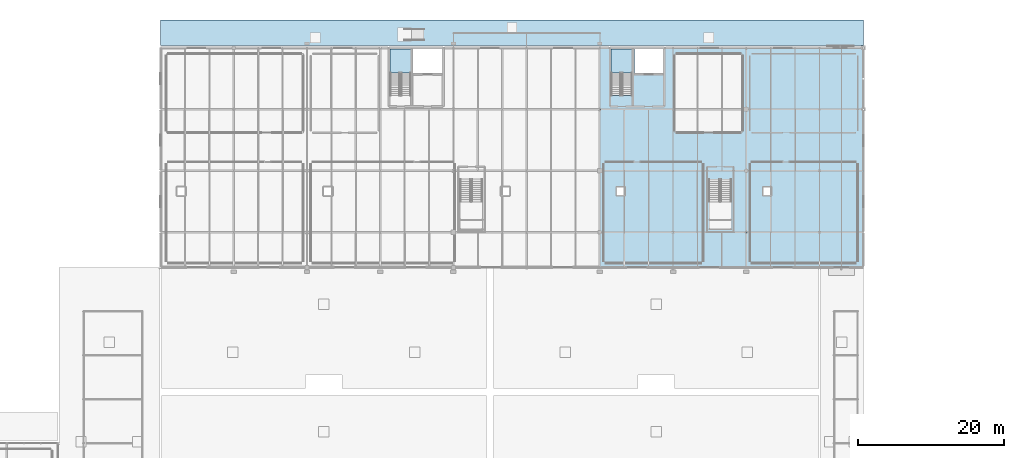
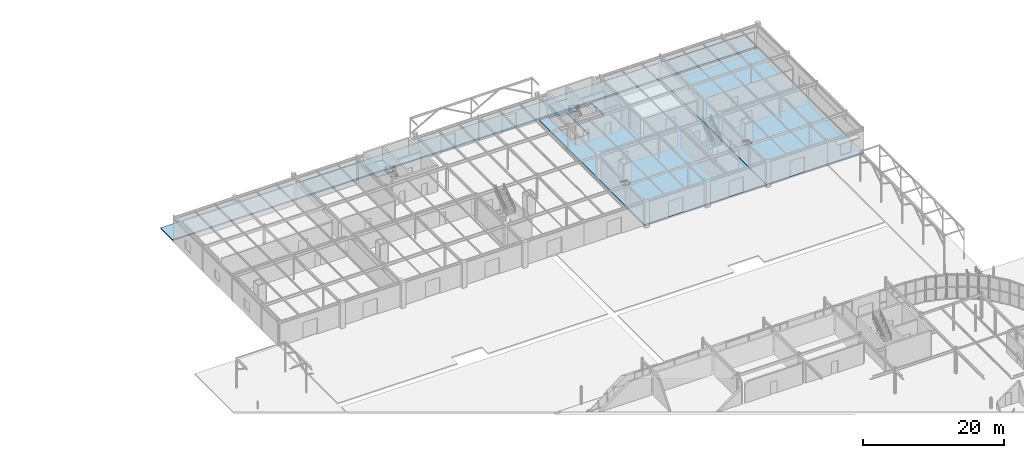
# One storey, part 82 of 119: 5 slabs, 2 elements without a shape of their own.
"""IFC4 building model written with IfcOpenShell, lengths in metres."""

from ifc_helpers import new_model, si_unit, derived_unit, direction, frame, origin, place, context, subcontext, project, spatial, polyline, outline, extrude, material, layer, layer_set, type_object, element, aggregate, save


model = new_model("IFC4")

# Units and contexts
model_context = context("Model", 3, precision=1e-05, world=origin(), true_north=direction((0.0, 1.0)))
body_context = subcontext(model_context, "Body", "Model", "MODEL_VIEW")
ifc_project = project(units=[si_unit("LENGTHUNIT", "METRE"), si_unit("AREAUNIT", "SQUARE_METRE"), si_unit("VOLUMEUNIT", "CUBIC_METRE"), si_unit("PLANEANGLEUNIT", "RADIAN"), si_unit("MASSUNIT", "GRAM", prefix="KILO"), derived_unit("THERMALTRANSMITTANCEUNIT", [(si_unit("POWERUNIT", "WATT"), 1), (si_unit("LENGTHUNIT", "METRE"), -2), (si_unit("THERMODYNAMICTEMPERATUREUNIT", "KELVIN"), -1)])], contexts=[model_context])

# Site, building, storey
site_placement = place(None, origin())
site = spatial("IfcSite", under=ifc_project, at=site_placement, CompositionType="ELEMENT")
building_placement = place(site_placement, origin())
building = spatial("IfcBuilding", under=site, at=building_placement, Name="Cinnabar Yard Market Hall", CompositionType="ELEMENT")
storey_placement = place(building_placement, origin())
storey = spatial("IfcBuildingStorey", under=building, at=storey_placement, Name="L00", CompositionType="ELEMENT", Elevation=0.0)

# Slabs
ifc_material = material(Name="Concrete 40 MPa", Category="concrete")
ifc_layer_1 = layer(ifc_material, 0.219970703125)
ifc_layer_set_1 = layer_set([ifc_layer_1], Name="Concrete 40 MPa")
slab_type_1 = type_object("IfcSlabType", Name="SL-APRON", PredefinedType="BASESLAB", material=ifc_layer_set_1)
slab_1_placement = place(storey_placement, frame((0.0, 0.0, -0.219970703125)))
element("IfcSlab", 1, at=slab_1_placement, inside=storey, type_object=slab_type_1, Name="Northern Avenue Entry Apron", PredefinedType="BASESLAB", context=body_context, shape_type="SweptSolid", body=[
    extrude(outline(polyline([(66.0, 138.35009765625), (162.0, 138.35009765625), (162.0, 141.800048828125), (66.0, 141.800048828125), (66.0, 138.35009765625)])), origin(), (0.0, 0.0, 1.0), 0.219970703125),
])
ifc_layer_2 = layer(ifc_material, 0.300048828125)
ifc_layer_set_2 = layer_set([ifc_layer_2], Name="Concrete 40 MPa")
slab_type_2 = type_object("IfcSlabType", Name="SL-L00", PredefinedType="FLOOR", material=ifc_layer_set_2)
slab_2_placement = place(storey_placement, frame((0.0, 0.0, -0.300048828125)))
element("IfcSlab", 2, at=slab_2_placement, inside=storey, type_object=slab_type_2, Name="L00 Wing Floor Slab Bay 4", PredefinedType="FLOOR", context=body_context, shape_type="SweptSolid", body=[
    extrude(outline(polyline([(126.0400390625, 108.0), (146.0, 108.0), (146.0, 138.0), (126.0400390625, 138.0), (126.0400390625, 108.0)]), holes=[polyline([(128.2900390625, 117.85009765625), (129.43994140625, 117.85009765625), (129.43994140625, 119.0), (128.2900390625, 119.0), (128.2900390625, 117.85009765625)]), polyline([(130.39990234375, 131.5048828125), (130.39990234375, 137.860107421875), (127.5400390625, 137.860107421875), (127.5400390625, 131.5048828125), (130.39990234375, 131.5048828125)]), polyline([(130.699951171875, 134.449951171875), (134.64990234375, 134.449951171875), (134.64990234375, 137.85009765625), (130.699951171875, 137.85009765625), (130.699951171875, 134.449951171875)])]), origin(), (0.0, 0.0, 1.0), 0.300048828125),
])
slab_3_placement = place(storey_placement, frame((0.0, 0.0, -0.300048828125)))
element("IfcSlab", 3, at=slab_3_placement, inside=storey, type_object=slab_type_2, Name="L00 Wing Floor Slab Bay 5", PredefinedType="FLOOR", context=body_context, shape_type="SweptSolid", body=[
    extrude(outline(polyline([(146.0400390625, 108.0), (162.0, 108.0), (162.0, 138.0), (146.0400390625, 138.0), (146.0400390625, 108.0)]), holes=[polyline([(148.2900390625, 117.85009765625), (149.43994140625, 117.85009765625), (149.43994140625, 119.0), (148.2900390625, 119.0), (148.2900390625, 117.85009765625)])]), origin(), (0.0, 0.0, 1.0), 0.300048828125),
])

# Stair, slab
stair_type = type_object("IfcStairType", Name="ST-CORE", PredefinedType="HALF_TURN_STAIR", material=ifc_material)
stair_1_placement = place(storey_placement, origin())
stair_1 = element("IfcStair", 4, at=stair_1_placement, inside=storey, type_object=stair_type, Name="L00 Cooking School West Core Stair", PredefinedType="HALF_TURN_STAIR")
ifc_layer_3 = layer(ifc_material, 0.199951171875)
ifc_layer_set_3 = layer_set([ifc_layer_3], Name="Concrete 40 MPa")
slab_type_3 = type_object("IfcSlabType", Name="SL-LAND", PredefinedType="LANDING", material=ifc_layer_set_3)
slab_4_placement = place(storey_placement, frame((0.0, 0.0, 2.050048828125)))
slab_4 = element("IfcSlab", 5, at=slab_4_placement, type_object=slab_type_3, Name="ST-C5 landing 1", PredefinedType="LANDING", context=body_context, shape_type="SweptSolid", body=[
    extrude(outline(polyline([(100.199951171875, 134.570068359375), (100.199951171875, 137.860107421875), (97.340087890625, 137.860107421875), (97.340087890625, 134.570068359375), (100.199951171875, 134.570068359375)])), origin(), (0.0, 0.0, 1.0), 0.199951171875),
])
aggregate(stair_1, [slab_4])

stair_2_placement = place(storey_placement, origin())
stair_2 = element("IfcStair", 6, at=stair_2_placement, inside=storey, type_object=stair_type, Name="L00 Cooking School East Core Stair", PredefinedType="HALF_TURN_STAIR")
slab_5_placement = place(storey_placement, frame((0.0, 0.0, 2.050048828125)))
slab_5 = element("IfcSlab", 7, at=slab_5_placement, type_object=slab_type_3, Name="ST-C6 landing 1", PredefinedType="LANDING", context=body_context, shape_type="SweptSolid", body=[
    extrude(outline(polyline([(130.39990234375, 134.570068359375), (130.39990234375, 137.860107421875), (127.5400390625, 137.860107421875), (127.5400390625, 134.570068359375), (130.39990234375, 134.570068359375)])), origin(), (0.0, 0.0, 1.0), 0.199951171875),
])
aggregate(stair_2, [slab_5])

save(model, "model.ifc")
